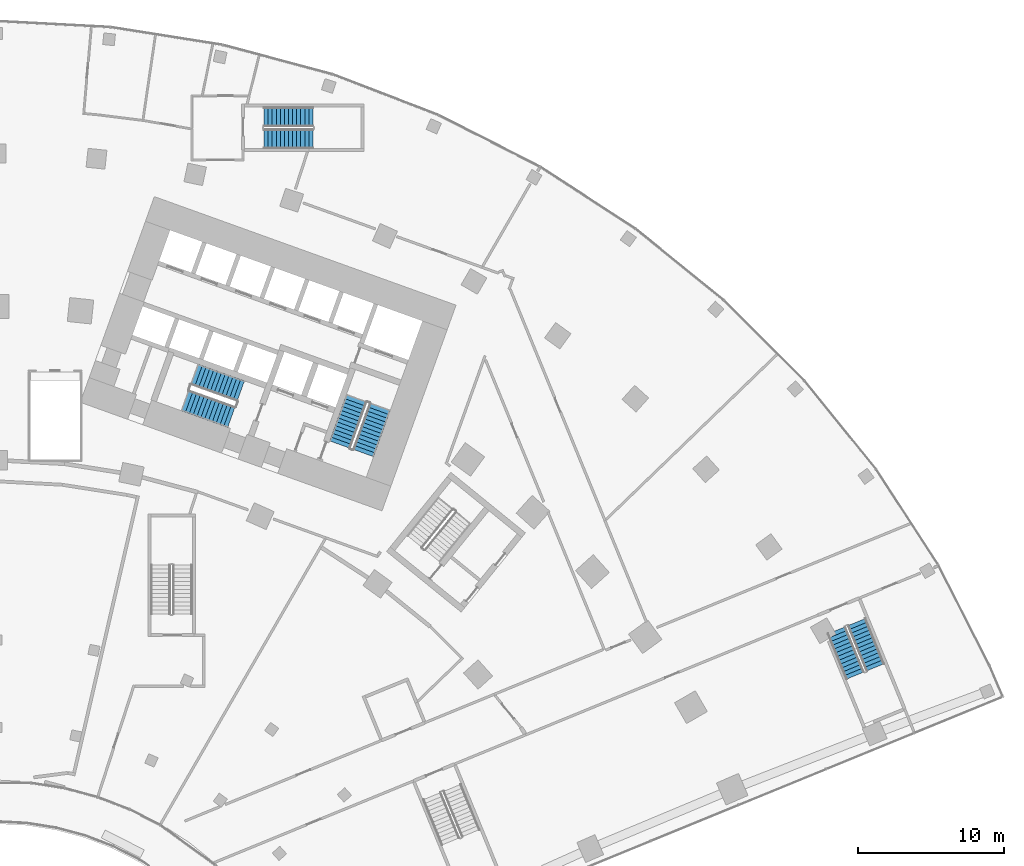
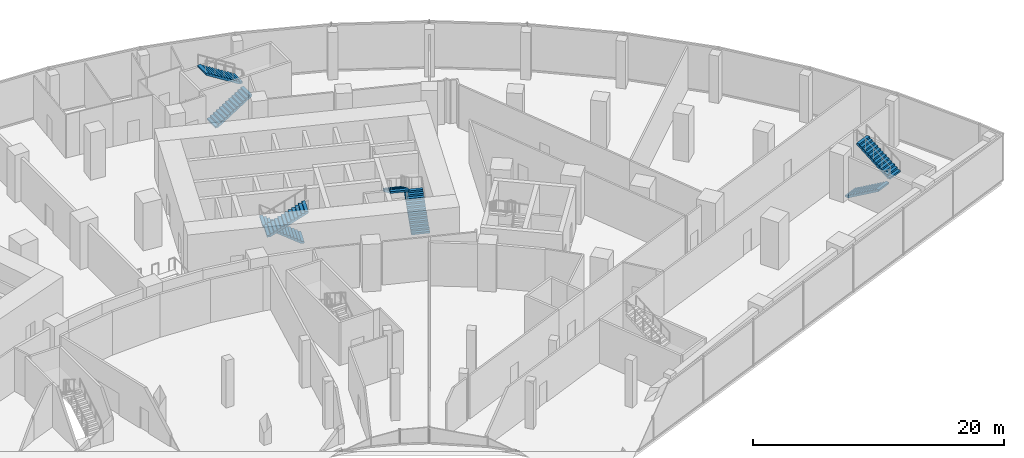
# One storey, part 32 of 40: 8 stair flights, 4 elements without a shape of their own.
"""IFC4 building model written with IfcOpenShell, lengths in metres."""

from ifc_helpers import new_model, si_unit, direction, frame, origin, place, context, subcontext, project, spatial, polyline, outline, extrude, material, layer, layer_set, type_object, element, aggregate, save


model = new_model("IFC4")

# Units and contexts
model_context = context("Model", 3, precision=1e-05, world=origin(), true_north=direction((0.0, 1.0)))
body_context = subcontext(model_context, "Body", "Model", "MODEL_VIEW")
ifc_project = project(units=[si_unit("LENGTHUNIT", "METRE"), si_unit("AREAUNIT", "SQUARE_METRE"), si_unit("VOLUMEUNIT", "CUBIC_METRE"), si_unit("PLANEANGLEUNIT", "RADIAN"), si_unit("MASSUNIT", "GRAM", prefix="KILO")], contexts=[model_context])

# Site, building, storey
site_placement = place(None, origin())
site = spatial("IfcSite", under=ifc_project, at=site_placement, CompositionType="ELEMENT")
building_placement = place(site_placement, origin())
building = spatial("IfcBuilding", under=site, at=building_placement, Name="Stone Belt Terrace Tower", CompositionType="ELEMENT")
storey_placement = place(building_placement, frame((0.0, 0.0, 11.60009765625)))
storey = spatial("IfcBuildingStorey", under=building, at=storey_placement, Name="L02", CompositionType="ELEMENT", Elevation=11.60009765625)

# Stair, stair flights
ifc_material_1 = material(Name="Concrete B30", Category="concrete")
stair_type_1 = type_object("IfcStairType", Name="Podium stair concrete B30", PredefinedType="HALF_TURN_STAIR", material=ifc_material_1)
stair_1_placement = place(storey_placement, origin())
stair_1 = element("IfcStair", 1, at=stair_1_placement, inside=storey, type_object=stair_type_1, Name="L02 podium exit stair 4", PredefinedType="HALF_TURN_STAIR")
ifc_layer = layer(ifc_material_1, 0.14990234375)
ifc_layer_set = layer_set([ifc_layer], Name="Podium stair flight concrete B30")
stair_flight_type_1 = type_object("IfcStairFlightType", Name="Podium stair flight concrete B30", PredefinedType="STRAIGHT", material=ifc_layer_set)
stair_flight_1_placement = place(storey_placement, frame((57.6259765625, 32.7724609375, 0.0), z_axis=(0.0, 0.0, 1.0), x_axis=(0.37924309334, -0.925297074541, 0.0)))
stair_flight_1 = element("IfcStairFlight", 2, at=stair_flight_1_placement, type_object=stair_flight_type_1, Name="PS4 flight 1", NumberOfRisers=13, NumberOfTreads=12, PredefinedType="STRAIGHT", RiserHeight=0.176923077, TreadLength=0.28, context=body_context, shape_type="SweptSolid", body=[
    extrude(outline(polyline([(0.0, 0.0), (0.0, 0.177001953125), (0.280029296875, 0.177001953125), (0.280029296875, 0.353759765625), (0.56005859375, 0.353759765625), (0.56005859375, 0.53076171875), (0.840087890625, 0.53076171875), (0.840087890625, 0.707763671875), (1.1201171875, 0.707763671875), (1.1201171875, 0.884521484375), (1.39990234375, 0.884521484375), (1.39990234375, 1.0615234375), (1.679931640625, 1.0615234375), (1.679931640625, 1.238525390625), (1.9599609375, 1.238525390625), (1.9599609375, 1.415283203125), (2.239990234375, 1.415283203125), (2.239990234375, 1.59228515625), (2.52001953125, 1.59228515625), (2.52001953125, 1.769287109375), (2.800048828125, 1.769287109375), (2.800048828125, 1.946044921875), (3.080078125, 1.946044921875), (3.080078125, 2.123046875), (3.360107421875, 2.123046875), (3.360107421875, 2.300048828125), (3.360107421875, 1.94580078125), (0.280517578125, 0.0), (0.0, 0.0)])), frame((0.0, 0.675048828125, 0.0), z_axis=(0.0, -1.0, 0.0), x_axis=(1.0, 0.0, 0.0)), (0.0, 0.0, 1.0), 1.35009765625),
])
stair_flight_2_placement = place(storey_placement, frame((60.288330078125, 30.232421875, 2.2998046875), z_axis=(0.0, 0.0, 1.0), x_axis=(-0.37924309334, 0.925297074541, 0.0)))
stair_flight_2 = element("IfcStairFlight", 3, at=stair_flight_2_placement, type_object=stair_flight_type_1, Name="PS4 flight 2", NumberOfRisers=13, NumberOfTreads=12, PredefinedType="STRAIGHT", RiserHeight=0.176923077, TreadLength=0.28, context=body_context, shape_type="SweptSolid", body=[
    extrude(outline(polyline([(0.0, 0.0), (0.0, 0.177001953125), (0.280029296875, 0.177001953125), (0.280029296875, 0.353759765625), (0.56005859375, 0.353759765625), (0.56005859375, 0.53076171875), (0.840087890625, 0.53076171875), (0.840087890625, 0.707763671875), (1.1201171875, 0.707763671875), (1.1201171875, 0.884521484375), (1.39990234375, 0.884521484375), (1.39990234375, 1.0615234375), (1.679931640625, 1.0615234375), (1.679931640625, 1.238525390625), (1.9599609375, 1.238525390625), (1.9599609375, 1.415283203125), (2.239990234375, 1.415283203125), (2.239990234375, 1.59228515625), (2.52001953125, 1.59228515625), (2.52001953125, 1.769287109375), (2.800048828125, 1.769287109375), (2.800048828125, 1.946044921875), (3.080078125, 1.946044921875), (3.080078125, 2.123046875), (3.360107421875, 2.123046875), (3.360107421875, 2.300048828125), (3.360107421875, 1.94580078125), (0.280517578125, 0.0), (0.0, 0.0)])), frame((0.0, 0.675048828125, 0.0), z_axis=(0.0, -1.0, 0.0), x_axis=(1.0, 0.0, 0.0)), (0.0, 0.0, 1.0), 1.35009765625),
])
aggregate(stair_1, [stair_flight_1, stair_flight_2])

stair_2_placement = place(storey_placement, origin())
stair_2 = element("IfcStair", 4, at=stair_2_placement, inside=storey, type_object=stair_type_1, Name="L02 podium exit stair 8", PredefinedType="HALF_TURN_STAIR")
stair_flight_3_placement = place(storey_placement, frame((18.340087890625, 66.5, 0.0), z_axis=(0.0, 0.0, 1.0), x_axis=(1.0, 0.0, 0.0)))
stair_flight_3 = element("IfcStairFlight", 5, at=stair_flight_3_placement, type_object=stair_flight_type_1, Name="PS8 flight 1", NumberOfRisers=13, NumberOfTreads=12, PredefinedType="STRAIGHT", RiserHeight=0.176923077, TreadLength=0.28, context=body_context, shape_type="SweptSolid", body=[
    extrude(outline(polyline([(0.0, 0.0), (0.0, 0.177001953125), (0.280029296875, 0.177001953125), (0.280029296875, 0.353759765625), (0.56005859375, 0.353759765625), (0.56005859375, 0.53076171875), (0.840087890625, 0.53076171875), (0.840087890625, 0.707763671875), (1.1201171875, 0.707763671875), (1.1201171875, 0.884521484375), (1.39990234375, 0.884521484375), (1.39990234375, 1.0615234375), (1.679931640625, 1.0615234375), (1.679931640625, 1.238525390625), (1.9599609375, 1.238525390625), (1.9599609375, 1.415283203125), (2.239990234375, 1.415283203125), (2.239990234375, 1.59228515625), (2.52001953125, 1.59228515625), (2.52001953125, 1.769287109375), (2.800048828125, 1.769287109375), (2.800048828125, 1.946044921875), (3.080078125, 1.946044921875), (3.080078125, 2.123046875), (3.360107421875, 2.123046875), (3.360107421875, 2.300048828125), (3.360107421875, 1.94580078125), (0.280517578125, 0.0), (0.0, 0.0)])), frame((0.0, 0.675048828125, 0.0), z_axis=(0.0, -1.0, 0.0), x_axis=(1.0, 0.0, 0.0)), (0.0, 0.0, 1.0), 1.35009765625),
])
stair_flight_4_placement = place(storey_placement, frame((21.699951171875, 68.0, 2.2998046875), z_axis=(0.0, 0.0, 1.0), x_axis=(-1.0, 0.0, 0.0)))
stair_flight_4 = element("IfcStairFlight", 6, at=stair_flight_4_placement, type_object=stair_flight_type_1, Name="PS8 flight 2", NumberOfRisers=13, NumberOfTreads=12, PredefinedType="STRAIGHT", RiserHeight=0.176923077, TreadLength=0.28, context=body_context, shape_type="SweptSolid", body=[
    extrude(outline(polyline([(0.0, 0.0), (0.0, 0.177001953125), (0.280029296875, 0.177001953125), (0.280029296875, 0.353759765625), (0.56005859375, 0.353759765625), (0.56005859375, 0.53076171875), (0.840087890625, 0.53076171875), (0.840087890625, 0.707763671875), (1.1201171875, 0.707763671875), (1.1201171875, 0.884521484375), (1.39990234375, 0.884521484375), (1.39990234375, 1.0615234375), (1.679931640625, 1.0615234375), (1.679931640625, 1.238525390625), (1.9599609375, 1.238525390625), (1.9599609375, 1.415283203125), (2.239990234375, 1.415283203125), (2.239990234375, 1.59228515625), (2.52001953125, 1.59228515625), (2.52001953125, 1.769287109375), (2.800048828125, 1.769287109375), (2.800048828125, 1.946044921875), (3.080078125, 1.946044921875), (3.080078125, 2.123046875), (3.360107421875, 2.123046875), (3.360107421875, 2.300048828125), (3.360107421875, 1.94580078125), (0.280517578125, 0.0), (0.0, 0.0)])), frame((0.0, 0.675048828125, 0.0), z_axis=(0.0, -1.0, 0.0), x_axis=(1.0, 0.0, 0.0)), (0.0, 0.0, 1.0), 1.35009765625),
])
aggregate(stair_2, [stair_flight_3, stair_flight_4])

ifc_material_2 = material(Name="Concrete B40", Category="concrete")
stair_type_2 = type_object("IfcStairType", Name="Exit stair 1500", PredefinedType="HALF_TURN_STAIR", material=ifc_material_2)
stair_3_placement = place(storey_placement, origin())
stair_3 = element("IfcStair", 7, at=stair_3_placement, inside=storey, type_object=stair_type_2, Name="L02 Exit stair 1 core B", PredefinedType="HALF_TURN_STAIR")
stair_flight_type_2 = type_object("IfcStairFlightType", Name="Stair flight 1500", PredefinedType="STRAIGHT", material=ifc_material_2)
stair_flight_5_placement = place(storey_placement, frame((25.15283203125, 44.9375, 0.0), z_axis=(0.0, 0.0, 1.0), x_axis=(0.338624396177, 0.940921632398, 0.0)))
stair_flight_5 = element("IfcStairFlight", 8, at=stair_flight_5_placement, type_object=stair_flight_type_2, Name="ST1B flight 1", NumberOfRisers=13, NumberOfTreads=12, PredefinedType="STRAIGHT", RiserHeight=0.176923077, TreadLength=0.28, context=body_context, shape_type="SweptSolid", body=[
    extrude(outline(polyline([(0.0, 0.0), (0.0, 0.177001953125), (0.280029296875, 0.177001953125), (0.280029296875, 0.353759765625), (0.56005859375, 0.353759765625), (0.56005859375, 0.53076171875), (0.840087890625, 0.53076171875), (0.840087890625, 0.707763671875), (1.1201171875, 0.707763671875), (1.1201171875, 0.884521484375), (1.39990234375, 0.884521484375), (1.39990234375, 1.0615234375), (1.679931640625, 1.0615234375), (1.679931640625, 1.238525390625), (1.9599609375, 1.238525390625), (1.9599609375, 1.415283203125), (2.239990234375, 1.415283203125), (2.239990234375, 1.59228515625), (2.52001953125, 1.59228515625), (2.52001953125, 1.769287109375), (2.800048828125, 1.769287109375), (2.800048828125, 1.946044921875), (3.080078125, 1.946044921875), (3.080078125, 2.123046875), (3.360107421875, 2.123046875), (3.360107421875, 2.300048828125), (3.360107421875, 1.94580078125), (0.280517578125, 0.0), (0.0, 0.0)])), frame((0.0, 0.75, 0.0), z_axis=(0.0, -1.0, 0.0), x_axis=(1.0, 0.0, 0.0)), (0.0, 0.0, 1.0), 1.5),
])
stair_flight_6_placement = place(storey_placement, frame((24.691162109375, 48.674560546875, 2.2998046875), z_axis=(0.0, 0.0, 1.0), x_axis=(-0.338624396177, -0.940921632398, 0.0)))
stair_flight_6 = element("IfcStairFlight", 9, at=stair_flight_6_placement, type_object=stair_flight_type_2, Name="ST1B flight 2", NumberOfRisers=13, NumberOfTreads=12, PredefinedType="STRAIGHT", RiserHeight=0.176923077, TreadLength=0.28, context=body_context, shape_type="SweptSolid", body=[
    extrude(outline(polyline([(0.0, 0.0), (0.0, 0.177001953125), (0.280029296875, 0.177001953125), (0.280029296875, 0.353759765625), (0.56005859375, 0.353759765625), (0.56005859375, 0.53076171875), (0.840087890625, 0.53076171875), (0.840087890625, 0.707763671875), (1.1201171875, 0.707763671875), (1.1201171875, 0.884521484375), (1.39990234375, 0.884521484375), (1.39990234375, 1.0615234375), (1.679931640625, 1.0615234375), (1.679931640625, 1.238525390625), (1.9599609375, 1.238525390625), (1.9599609375, 1.415283203125), (2.239990234375, 1.415283203125), (2.239990234375, 1.59228515625), (2.52001953125, 1.59228515625), (2.52001953125, 1.769287109375), (2.800048828125, 1.769287109375), (2.800048828125, 1.946044921875), (3.080078125, 1.946044921875), (3.080078125, 2.123046875), (3.360107421875, 2.123046875), (3.360107421875, 2.300048828125), (3.360107421875, 1.94580078125), (0.280517578125, 0.0), (0.0, 0.0)])), frame((0.0, 0.75, 0.0), z_axis=(0.0, -1.0, 0.0), x_axis=(1.0, 0.0, 0.0)), (0.0, 0.0, 1.0), 1.5),
])
aggregate(stair_3, [stair_flight_5, stair_flight_6])

stair_4_placement = place(storey_placement, origin())
stair_4 = element("IfcStair", 10, at=stair_4_placement, inside=storey, type_object=stair_type_2, Name="L02 Exit stair 2 core B", PredefinedType="HALF_TURN_STAIR")
stair_flight_7_placement = place(storey_placement, frame((16.74462890625, 49.185546875, 0.0), z_axis=(0.0, 0.0, 1.0), x_axis=(-0.940921632398, 0.338624396177, 0.0)))
stair_flight_7 = element("IfcStairFlight", 11, at=stair_flight_7_placement, type_object=stair_flight_type_2, Name="ST2B flight 1", NumberOfRisers=13, NumberOfTreads=12, PredefinedType="STRAIGHT", RiserHeight=0.176923077, TreadLength=0.28, context=body_context, shape_type="SweptSolid", body=[
    extrude(outline(polyline([(0.0, 0.0), (0.0, 0.177001953125), (0.280029296875, 0.177001953125), (0.280029296875, 0.353759765625), (0.56005859375, 0.353759765625), (0.56005859375, 0.53076171875), (0.840087890625, 0.53076171875), (0.840087890625, 0.707763671875), (1.1201171875, 0.707763671875), (1.1201171875, 0.884521484375), (1.39990234375, 0.884521484375), (1.39990234375, 1.0615234375), (1.679931640625, 1.0615234375), (1.679931640625, 1.238525390625), (1.9599609375, 1.238525390625), (1.9599609375, 1.415283203125), (2.239990234375, 1.415283203125), (2.239990234375, 1.59228515625), (2.52001953125, 1.59228515625), (2.52001953125, 1.769287109375), (2.800048828125, 1.769287109375), (2.800048828125, 1.946044921875), (3.080078125, 1.946044921875), (3.080078125, 2.123046875), (3.360107421875, 2.123046875), (3.360107421875, 2.300048828125), (3.360107421875, 1.94580078125), (0.280517578125, 0.0), (0.0, 0.0)])), frame((0.0, 0.75, 0.0), z_axis=(0.0, -1.0, 0.0), x_axis=(1.0, 0.0, 0.0)), (0.0, 0.0, 1.0), 1.5),
])
stair_flight_8_placement = place(storey_placement, frame((12.93994140625, 48.53564453125, 2.2998046875), z_axis=(0.0, 0.0, 1.0), x_axis=(0.940921632398, -0.338624396177, 0.0)))
stair_flight_8 = element("IfcStairFlight", 12, at=stair_flight_8_placement, type_object=stair_flight_type_2, Name="ST2B flight 2", NumberOfRisers=13, NumberOfTreads=12, PredefinedType="STRAIGHT", RiserHeight=0.176923077, TreadLength=0.28, context=body_context, shape_type="SweptSolid", body=[
    extrude(outline(polyline([(0.0, 0.0), (0.0, 0.177001953125), (0.280029296875, 0.177001953125), (0.280029296875, 0.353759765625), (0.56005859375, 0.353759765625), (0.56005859375, 0.53076171875), (0.840087890625, 0.53076171875), (0.840087890625, 0.707763671875), (1.1201171875, 0.707763671875), (1.1201171875, 0.884521484375), (1.39990234375, 0.884521484375), (1.39990234375, 1.0615234375), (1.679931640625, 1.0615234375), (1.679931640625, 1.238525390625), (1.9599609375, 1.238525390625), (1.9599609375, 1.415283203125), (2.239990234375, 1.415283203125), (2.239990234375, 1.59228515625), (2.52001953125, 1.59228515625), (2.52001953125, 1.769287109375), (2.800048828125, 1.769287109375), (2.800048828125, 1.946044921875), (3.080078125, 1.946044921875), (3.080078125, 2.123046875), (3.360107421875, 2.123046875), (3.360107421875, 2.300048828125), (3.360107421875, 1.94580078125), (0.280517578125, 0.0), (0.0, 0.0)])), frame((0.0, 0.75, 0.0), z_axis=(0.0, -1.0, 0.0), x_axis=(1.0, 0.0, 0.0)), (0.0, 0.0, 1.0), 1.5),
])
aggregate(stair_4, [stair_flight_7, stair_flight_8])

save(model, "model.ifc")
